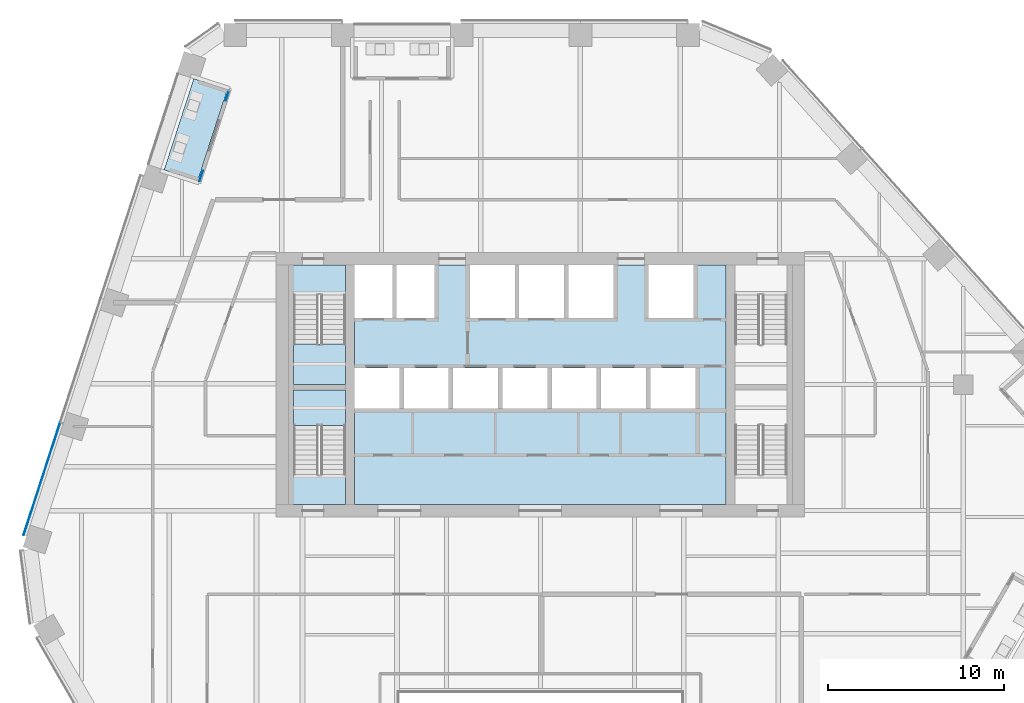
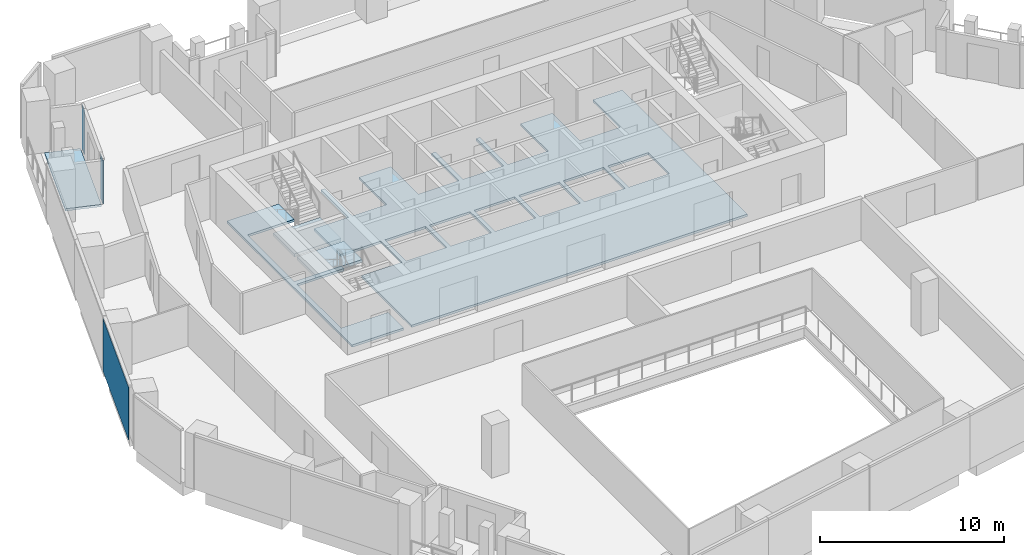
# One storey, part 16 of 26: 5 slabs, 3 plates, 4 elements without a shape of their own.
"""IFC4 building model written with IfcOpenShell, lengths in metres."""

from ifc_helpers import new_model, si_unit, direction, frame, origin, origin_2d, place, context, subcontext, project, spatial, polyline, rectangle, outline, extrude, material, layer, layer_set, type_object, element, aggregate, save


model = new_model("IFC4")

# Units and contexts
model_context = context("Model", 3, precision=1e-05, world=origin(), true_north=direction((0.0, 1.0)))
body_context = subcontext(model_context, "Body", "Model", "MODEL_VIEW")
ifc_project = project(units=[si_unit("LENGTHUNIT", "METRE"), si_unit("AREAUNIT", "SQUARE_METRE"), si_unit("VOLUMEUNIT", "CUBIC_METRE"), si_unit("PLANEANGLEUNIT", "RADIAN"), si_unit("MASSUNIT", "GRAM", prefix="KILO")], contexts=[model_context])

# Site, building, storey
site_placement = place(None, origin())
site = spatial("IfcSite", under=ifc_project, at=site_placement, CompositionType="ELEMENT")
building_placement = place(site_placement, origin())
building = spatial("IfcBuilding", under=site, at=building_placement, Name="Isthmus Gate Tower", CompositionType="ELEMENT")
storey_placement = place(building_placement, frame((0.0, 0.0, 189.050048828125)))
storey = spatial("IfcBuildingStorey", under=building, at=storey_placement, Name="L47", CompositionType="ELEMENT", Elevation=189.050048828125)

# Slabs
ifc_material_1 = material(Name="Concrete f'c 40 MPa", Category="concrete")
ifc_layer_1 = layer(ifc_material_1, 0.14990234375)
ifc_layer_set_1 = layer_set([ifc_layer_1], Name="CORE FLOOR SLAB 150")
slab_type_1 = type_object("IfcSlabType", Name="CORE FLOOR SLAB 150", PredefinedType="FLOOR", material=ifc_layer_set_1)
slab_1_placement = place(storey_placement, frame((0.0, 0.0, -0.150146484375)))
element("IfcSlab", 1, at=slab_1_placement, inside=storey, type_object=slab_type_1, Name="L47 core floor", PredefinedType="FLOOR", context=body_context, shape_type="SweptSolid", body=[
    extrude(outline(polyline([(-11.050048828125, 0.699951171875), (-11.050048828125, 2.402099609375), (-14.0, 2.402099609375), (-14.0, 7.199951171875), (-11.050048828125, 7.199951171875), (-11.050048828125, 7.5), (-14.0, 7.5), (-14.0, 12.597900390625), (-11.050048828125, 12.597900390625), (-11.050048828125, 14.300048828125), (-14.300048828125, 14.300048828125), (-14.300048828125, 0.699951171875), (-11.050048828125, 0.699951171875)])), origin(), (0.0, 0.0, 1.0), 0.150146484375),
])
slab_2_placement = place(storey_placement, frame((0.0, 0.0, -0.150146484375)))
element("IfcSlab", 2, at=slab_2_placement, inside=storey, type_object=slab_type_1, Name="L47 core floor", PredefinedType="FLOOR", context=body_context, shape_type="SweptSolid", body=[
    extrude(outline(polyline([(10.550048828125, 14.300048828125), (8.699951171875, 14.300048828125), (8.699951171875, 11.300048828125), (6.14990234375, 11.300048828125), (6.14990234375, 14.300048828125), (4.14990234375, 14.300048828125), (4.14990234375, 11.300048828125), (1.60009765625, 11.300048828125), (1.60009765625, 14.300048828125), (1.35009765625, 14.300048828125), (1.35009765625, 11.300048828125), (-1.199951171875, 11.300048828125), (-1.199951171875, 14.300048828125), (-1.449951171875, 14.300048828125), (-1.449951171875, 11.300048828125), (-4.0, 11.300048828125), (-4.0, 14.300048828125), (-6.0, 14.300048828125), (-6.0, 11.300048828125), (-8.14990234375, 11.300048828125), (-8.14990234375, 14.300048828125), (-8.39990234375, 14.300048828125), (-8.39990234375, 11.300048828125), (-10.550048828125, 11.300048828125), (-10.550048828125, 8.449951171875), (-8.0, 8.449951171875), (-8.0, 6.14990234375), (-10.550048828125, 6.14990234375), (-10.550048828125, 0.699951171875), (10.550048828125, 0.699951171875), (10.550048828125, 14.300048828125)]), holes=[polyline([(-5.199951171875, 8.449951171875), (-5.199951171875, 6.14990234375), (-7.75, 6.14990234375), (-7.75, 8.449951171875), (-5.199951171875, 8.449951171875)]), polyline([(-2.39990234375, 8.449951171875), (-2.39990234375, 6.14990234375), (-4.949951171875, 6.14990234375), (-4.949951171875, 8.449951171875), (-2.39990234375, 8.449951171875)]), polyline([(0.39990234375, 8.449951171875), (0.39990234375, 6.14990234375), (-2.14990234375, 6.14990234375), (-2.14990234375, 8.449951171875), (0.39990234375, 8.449951171875)]), polyline([(3.199951171875, 8.449951171875), (3.199951171875, 6.14990234375), (0.64990234375, 6.14990234375), (0.64990234375, 8.449951171875), (3.199951171875, 8.449951171875)]), polyline([(6.0, 8.449951171875), (6.0, 6.14990234375), (3.449951171875, 6.14990234375), (3.449951171875, 8.449951171875), (6.0, 8.449951171875)]), polyline([(8.800048828125, 8.449951171875), (8.800048828125, 6.14990234375), (6.25, 6.14990234375), (6.25, 8.449951171875), (8.800048828125, 8.449951171875)])]), origin(), (0.0, 0.0, 1.0), 0.150146484375),
])

# Curtain wall, plate
ifc_material_2 = material(Name="Aluminium, pale champagne anodised", Category="aluminium")
ifc_layer_2 = layer(ifc_material_2, 0.199951171875)
ifc_layer_set_2 = layer_set([ifc_layer_2], Name="CW-1 UNITISED CURTAIN WALL 200 DEEP")
curtain_wall_type_1 = type_object("IfcCurtainWallType", Name="CW-1 UNITISED CURTAIN WALL 200 DEEP", PredefinedType="NOTDEFINED", material=ifc_layer_set_2)
curtain_wall_1_placement = place(storey_placement, origin())
curtain_wall_1 = element("IfcCurtainWall", 3, at=curtain_wall_1_placement, inside=storey, type_object=curtain_wall_type_1, Name="CW-1 NW L47", PredefinedType="NOTDEFINED")
ifc_material_3 = material(Name="Laminated low-iron glass, pale blue tint", Category="glass")
ifc_layer_3 = layer(ifc_material_3, 0.035888671875)
ifc_layer_set_3 = layer_set([ifc_layer_3], Name="CW-1 CLEAR GLASS LITE 36")
plate_type_1 = type_object("IfcPlateType", Name="CW-1 CLEAR GLASS LITE 36", PredefinedType="CURTAIN_PANEL", material=ifc_layer_set_3)
plate_1_placement = place(storey_placement, frame((-28.290283203125, 2.150146484375, 0.0), z_axis=(0.0, 0.0, 1.0), x_axis=(-0.309016994375, -0.951056516295, 0.0)))
plate_1 = element("IfcPlate", 4, at=plate_1_placement, type_object=plate_type_1, Name="CW-1 glass lite", PredefinedType="CURTAIN_PANEL", context=body_context, shape_type="SweptSolid", body=[
    extrude(rectangle(XDim=6.680908203125, YDim=0.035888671875, at=origin_2d()), origin(), (0.0, 0.0, 1.0), 3.510009765625),
])
aggregate(curtain_wall_1, [plate_1])

# Curtain wall, plates
ifc_material_4 = material(Name="Aluminium, pale champagne anodised", Category="aluminium")
ifc_layer_4 = layer(ifc_material_4, 0.14990234375)
ifc_layer_set_4 = layer_set([ifc_layer_4], Name="CW-6 LOGGIA BACK WALL GLAZING 150 DEEP")
curtain_wall_type_2 = type_object("IfcCurtainWallType", Name="CW-6 LOGGIA BACK WALL GLAZING 150 DEEP", PredefinedType="NOTDEFINED", material=ifc_layer_set_4)
curtain_wall_2_placement = place(storey_placement, origin())
curtain_wall_2 = element("IfcCurtainWall", 5, at=curtain_wall_2_placement, inside=storey, type_object=curtain_wall_type_2, Name="CW-6 NW L47", PredefinedType="NOTDEFINED")
ifc_material_5 = material(Name="Laminated low-iron glass, clear", Category="glass")
ifc_layer_5 = layer(ifc_material_5, 0.031982421875)
ifc_layer_set_5 = layer_set([ifc_layer_5], Name="CW-6 CLEAR GLASS LITE 32")
plate_type_2 = type_object("IfcPlateType", Name="CW-6 CLEAR GLASS LITE 32", PredefinedType="CURTAIN_PANEL", material=ifc_layer_set_5)
plate_2_placement = place(storey_placement, frame((-17.7734375, 23.89697265625, 0.0), z_axis=(0.0, 0.0, 1.0), x_axis=(-0.309016994375, -0.951056516295, 0.0)))
plate_2 = element("IfcPlate", 6, at=plate_2_placement, type_object=plate_type_2, Name="CW-6 glass lite", PredefinedType="CURTAIN_PANEL", context=body_context, shape_type="SweptSolid", body=[
    extrude(rectangle(XDim=0.560302734375, YDim=0.031982421875, at=origin_2d()), origin(), (0.0, 0.0, 1.0), 2.929931640625),
])
plate_3_placement = place(storey_placement, frame((-19.253662109375, 19.341064453125, 0.0), z_axis=(0.0, 0.0, 1.0), x_axis=(-0.309016994375, -0.951056516295, 0.0)))
plate_3 = element("IfcPlate", 7, at=plate_3_placement, type_object=plate_type_2, Name="CW-6 glass lite", PredefinedType="CURTAIN_PANEL", context=body_context, shape_type="SweptSolid", body=[
    extrude(rectangle(XDim=0.620361328125, YDim=0.031982421875, at=origin_2d()), origin(), (0.0, 0.0, 1.0), 2.929931640625),
])
aggregate(curtain_wall_2, [plate_2, plate_3])

# Slab
ifc_material_6 = material(Name="Concrete f'c 50 MPa", Category="concrete")
ifc_layer_6 = layer(ifc_material_6, 0.14990234375)
ifc_layer_set_6 = layer_set([ifc_layer_6], Name="LOGGIA FLOOR SLAB 150")
slab_type_2 = type_object("IfcSlabType", Name="LOGGIA FLOOR SLAB 150", PredefinedType="FLOOR", material=ifc_layer_set_6)
slab_3_placement = place(storey_placement, frame((0.0, 0.0, -0.150146484375)))
element("IfcSlab", 8, at=slab_3_placement, inside=storey, type_object=slab_type_2, Name="LOGGIA FLOOR", PredefinedType="FLOOR", context=body_context, shape_type="SweptSolid", body=[
    extrude(outline(polyline([(-19.66552734375, 24.86962890625), (-21.346923828125, 19.695068359375), (-19.444580078125, 19.076904296875), (-17.763427734375, 24.25146484375), (-19.66552734375, 24.86962890625)])), origin(), (0.0, 0.0, 1.0), 0.150146484375),
])

# Stair, slab
ifc_material_7 = material(Name="Concrete f'c 40 MPa", Category="concrete")
stair_type = type_object("IfcStairType", Name="CORE STAIR 22 RISERS", PredefinedType="HALF_TURN_STAIR", material=ifc_material_7)
stair_1_placement = place(storey_placement, origin())
stair_1 = element("IfcStair", 9, at=stair_1_placement, inside=storey, type_object=stair_type, Name="L47 Exit Stair 1", PredefinedType="HALF_TURN_STAIR")
ifc_material_8 = material(Name="Concrete f'c 40 MPa", Category="concrete")
ifc_layer_7 = layer(ifc_material_8, 0.199951171875)
ifc_layer_set_7 = layer_set([ifc_layer_7])
slab_type_3 = type_object("IfcSlabType", Name="STAIR LANDING RC 200", PredefinedType="LANDING", material=ifc_layer_set_7)
slab_4_placement = place(storey_placement, frame((0.0, 0.0, 1.625)))
slab_4 = element("IfcSlab", 10, at=slab_4_placement, type_object=slab_type_3, Name="ST1 landing 1", PredefinedType="LANDING", context=body_context, shape_type="SweptSolid", body=[
    extrude(outline(polyline([(-14.0, 9.800048828125), (-14.0, 7.5), (-11.050048828125, 7.5), (-11.050048828125, 9.800048828125), (-14.0, 9.800048828125)])), origin(), (0.0, 0.0, 1.0), 0.199951171875),
])
aggregate(stair_1, [slab_4])

stair_2_placement = place(storey_placement, origin())
stair_2 = element("IfcStair", 11, at=stair_2_placement, inside=storey, type_object=stair_type, Name="L47 Exit Stair 7", PredefinedType="HALF_TURN_STAIR")
slab_5_placement = place(storey_placement, frame((0.0, 0.0, 1.625)))
slab_5 = element("IfcSlab", 12, at=slab_5_placement, type_object=slab_type_3, Name="ST7 landing 1", PredefinedType="LANDING", context=body_context, shape_type="SweptSolid", body=[
    extrude(outline(polyline([(-11.050048828125, 5.199951171875), (-11.050048828125, 7.199951171875), (-14.0, 7.199951171875), (-14.0, 5.199951171875), (-11.050048828125, 5.199951171875)])), origin(), (0.0, 0.0, 1.0), 0.199951171875),
])
aggregate(stair_2, [slab_5])

save(model, "model.ifc")
